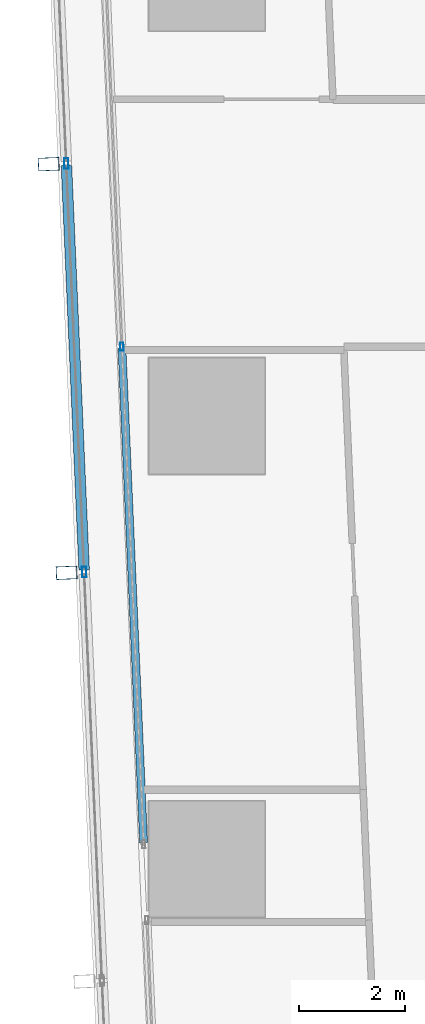
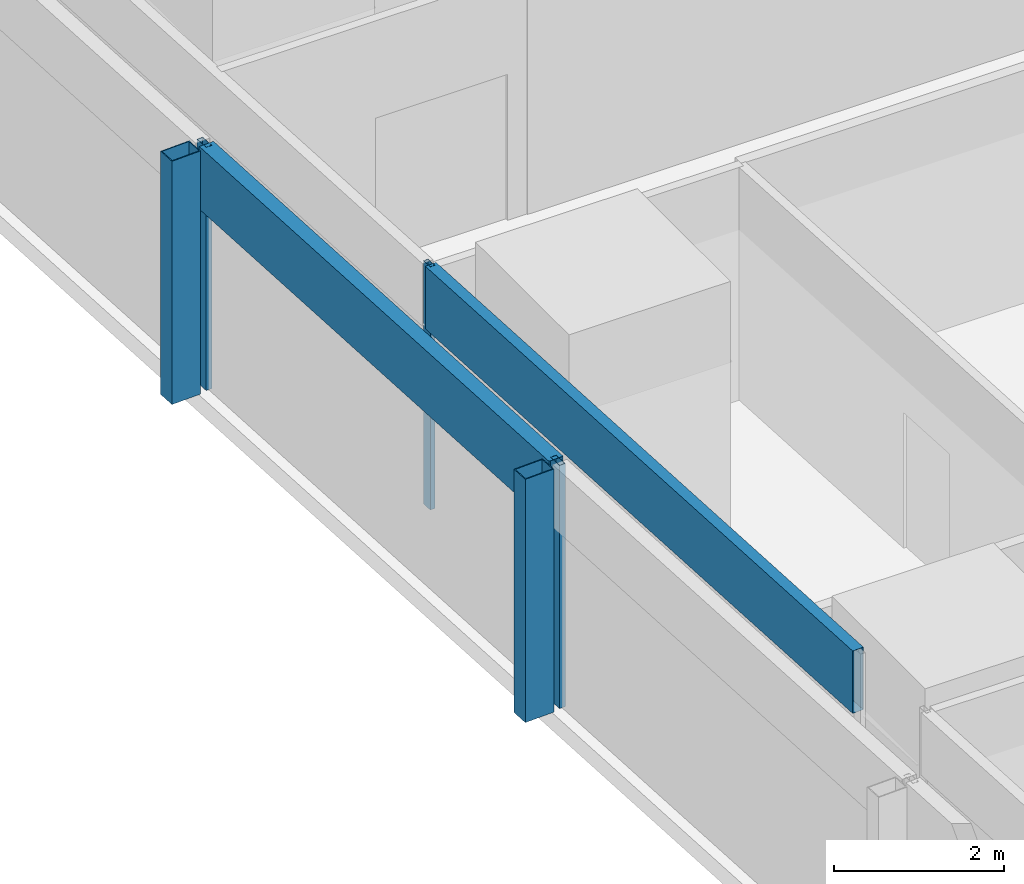
# One storey, part 7 of 45: 7 members, 2 elements without a shape of their own.
"""IFC4 building model written with IfcOpenShell, lengths in metres."""

from ifc_helpers import new_model, si_unit, direction, frame, origin, origin_2d, place, context, subcontext, project, spatial, hollow_rectangle, extrude, material, material_profile, profile_set, type_object, element, aggregate, save


model = new_model("IFC4")

# Units and contexts
model_context = context("Model", 3, precision=1e-05, world=origin(), true_north=direction((0.0, 1.0)))
body_context = subcontext(model_context, "Body", "Model", "MODEL_VIEW")
ifc_project = project(units=[si_unit("LENGTHUNIT", "METRE"), si_unit("AREAUNIT", "SQUARE_METRE"), si_unit("VOLUMEUNIT", "CUBIC_METRE"), si_unit("PLANEANGLEUNIT", "RADIAN"), si_unit("MASSUNIT", "GRAM", prefix="KILO")], contexts=[model_context])

# Site, building, storey
site_placement = place(None, origin())
site = spatial("IfcSite", under=ifc_project, at=site_placement, CompositionType="ELEMENT")
building_placement = place(site_placement, origin())
building = spatial("IfcBuilding", under=site, at=building_placement, Name="Rekha Terrace Tower", CompositionType="ELEMENT")
storey_placement = place(building_placement, frame((0.0, 0.0, 44.14990234375)))
storey = spatial("IfcBuildingStorey", under=building, at=storey_placement, Name="L10", CompositionType="ELEMENT", Elevation=44.14990234375)

# Curtain wall, members
ifc_material_1 = material(Name="Aluminium framing", Category="aluminium")
curtain_wall_type_1 = type_object("IfcCurtainWallType", Name="CW2 double skin outer glazing", PredefinedType="USERDEFINED", material=ifc_material_1)
curtain_wall_1_placement = place(storey_placement, origin())
curtain_wall_1 = element("IfcCurtainWall", 1, at=curtain_wall_1_placement, inside=storey, type_object=curtain_wall_type_1, Name="CW2 double skin outer glazing", ObjectType="DOUBLE SKIN OUTER GLAZING", PredefinedType="USERDEFINED")
ifc_material_2 = material(Name="Steel S355 with fluorocarbon finish", Category="steel")
ifc_material_profile_1 = material_profile(ifc_material_2, hollow_rectangle(XDim=0.25, YDim=0.39990234375, WallThickness=0.012451171875, at=origin_2d()), Name="RHS400x250x12.5")
ifc_profile_set_1 = profile_set([ifc_material_profile_1], Name="Steel S355 with fluorocarbon finish")
member_type_1 = type_object("IfcMemberType", Name="BL1 facade blade RHS 400 x 250", PredefinedType="USERDEFINED", material=ifc_profile_set_1)
member_1_placement = place(storey_placement, frame((5.40283203125, 29.97119140625, 0.0), z_axis=(0.0, 0.0, 1.0), x_axis=(0.04368215933, -0.999045478923, 0.0)))
member_1 = element("IfcMember", 2, at=member_1_placement, type_object=member_type_1, Name="Facade blade", ObjectType="FACADE BLADE", PredefinedType="USERDEFINED", context=body_context, shape_type="SweptSolid", body=[
    extrude(hollow_rectangle(XDim=0.25, YDim=0.39990234375, WallThickness=0.012451171875, at=origin_2d()), origin(), (0.0, 0.0, 1.0), 3.5),
])
member_2_placement = place(storey_placement, frame((5.74169921875, 22.226806640625, 0.0), z_axis=(0.0, 0.0, 1.0), x_axis=(0.04368215933, -0.999045478923, 0.0)))
member_2 = element("IfcMember", 3, at=member_2_placement, type_object=member_type_1, Name="Facade blade", ObjectType="FACADE BLADE", PredefinedType="USERDEFINED", context=body_context, shape_type="SweptSolid", body=[
    extrude(hollow_rectangle(XDim=0.25, YDim=0.39990234375, WallThickness=0.012451171875, at=origin_2d()), origin(), (0.0, 0.0, 1.0), 3.5),
])

curtain_wall_type_2 = type_object("IfcCurtainWallType", Name="CW1 double skin inner glazing", PredefinedType="USERDEFINED", material=ifc_material_1)
curtain_wall_2_placement = place(storey_placement, origin())
curtain_wall_2 = element("IfcCurtainWall", 4, at=curtain_wall_2_placement, inside=storey, type_object=curtain_wall_type_2, Name="CW1 double skin inner glazing", ObjectType="DOUBLE SKIN INNER GLAZING", PredefinedType="USERDEFINED")
ifc_material_3 = material(Name="Aluminium mullion section", Category="aluminium")
ifc_material_profile_2 = material_profile(ifc_material_3, hollow_rectangle(XDim=0.06494140625, YDim=0.14990234375, WallThickness=0.00390625, at=origin_2d()), Name="AL RHS 65x150")
ifc_profile_set_2 = profile_set([ifc_material_profile_2], Name="Aluminium mullion section")
member_type_2 = type_object("IfcMemberType", Name="CW1 mullion RHS 65 x 150", PredefinedType="MULLION", material=ifc_profile_set_2)
member_3_placement = place(storey_placement, frame((6.790283203125, 26.5126953125, 0.0), z_axis=(0.0, 0.0, 1.0), x_axis=(0.999045462133, 0.043682543337, 0.0)))
member_3 = element("IfcMember", 5, at=member_3_placement, type_object=member_type_2, Name="CW1 mullion 3", PredefinedType="MULLION", context=body_context, shape_type="SweptSolid", body=[
    extrude(hollow_rectangle(XDim=0.06494140625, YDim=0.14990234375, WallThickness=0.00390625, at=origin_2d()), origin(), (0.0, 0.0, 1.0), 3.5),
])
ifc_material_4 = material(Name="Insulated aluminium spandrel box", Category="aluminium")
ifc_material_profile_3 = material_profile(ifc_material_4, hollow_rectangle(XDim=0.14990234375, YDim=0.89990234375, WallThickness=0.0029296875, at=origin_2d()), Name="AL SPANDREL BOX 150x900")
ifc_profile_set_3 = profile_set([ifc_material_profile_3], Name="Insulated aluminium spandrel box")
member_type_3 = type_object("IfcMemberType", Name="CW1 spandrel transom 150 x 900", PredefinedType="USERDEFINED", material=ifc_profile_set_3)
member_4_placement = place(storey_placement, frame((6.791748046875, 26.480224609375, 3.050048828125), z_axis=(0.043688050697, -0.999045221312, 0.0), x_axis=(0.999045221312, 0.043688050697, 0.0)))
member_4 = element("IfcMember", 6, at=member_4_placement, type_object=member_type_3, Name="CW1 spandrel transom 3", ObjectType="TRANSOM", PredefinedType="USERDEFINED", context=body_context, shape_type="SweptSolid", body=[
    extrude(hollow_rectangle(XDim=0.14990234375, YDim=0.89990234375, WallThickness=0.0029296875, at=origin_2d()), origin(), (0.0, 0.0, 1.0), 9.377197265625),
])
aggregate(curtain_wall_2, [member_3, member_4])

# Member
ifc_material_profile_4 = material_profile(ifc_material_3, hollow_rectangle(XDim=0.080078125, YDim=0.199951171875, WallThickness=0.00390625, at=origin_2d()), Name="AL RHS 80x200")
ifc_profile_set_4 = profile_set([ifc_material_profile_4], Name="Aluminium mullion section")
member_type_4 = type_object("IfcMemberType", Name="CW2 mullion RHS 80 x 200", PredefinedType="MULLION", material=ifc_profile_set_4)
member_5_placement = place(storey_placement, frame((5.737548828125, 29.98583984375, 0.0), z_axis=(0.0, 0.0, 1.0), x_axis=(0.999045462131, 0.043682543372, 0.0)))
member_5 = element("IfcMember", 7, at=member_5_placement, type_object=member_type_4, Name="CW2 mullion 3", PredefinedType="MULLION", context=body_context, shape_type="SweptSolid", body=[
    extrude(hollow_rectangle(XDim=0.080078125, YDim=0.199951171875, WallThickness=0.00390625, at=origin_2d()), origin(), (0.0, 0.0, 1.0), 3.5),
])

member_6_placement = place(storey_placement, frame((6.076171875, 22.241455078125, 0.0), z_axis=(0.0, 0.0, 1.0), x_axis=(0.999045462131, 0.043682543372, 0.0)))
member_6 = element("IfcMember", 8, at=member_6_placement, type_object=member_type_4, Name="CW2 mullion 4", PredefinedType="MULLION", context=body_context, shape_type="SweptSolid", body=[
    extrude(hollow_rectangle(XDim=0.080078125, YDim=0.199951171875, WallThickness=0.00390625, at=origin_2d()), origin(), (0.0, 0.0, 1.0), 3.5),
])

ifc_material_profile_5 = material_profile(ifc_material_4, hollow_rectangle(XDim=0.199951171875, YDim=0.89990234375, WallThickness=0.0029296875, at=origin_2d()), Name="AL SPANDREL BOX 200x900")
ifc_profile_set_5 = profile_set([ifc_material_profile_5], Name="Insulated aluminium spandrel box")
member_type_5 = type_object("IfcMemberType", Name="CW2 spandrel transom 200 x 900", PredefinedType="USERDEFINED", material=ifc_profile_set_5)
member_7_placement = place(storey_placement, frame((5.7392578125, 29.94580078125, 3.050048828125), z_axis=(0.04369270591, -0.99904501773, 0.0), x_axis=(0.99904501773, 0.04369270591, 0.0)))
member_7 = element("IfcMember", 9, at=member_7_placement, type_object=member_type_5, Name="CW2 spandrel transom 3", ObjectType="TRANSOM", PredefinedType="USERDEFINED", context=body_context, shape_type="SweptSolid", body=[
    extrude(hollow_rectangle(XDim=0.199951171875, YDim=0.89990234375, WallThickness=0.0029296875, at=origin_2d()), origin(), (0.0, 0.0, 1.0), 7.671875),
])

aggregate(curtain_wall_1, [member_5, member_6, member_7, member_1, member_2])

save(model, "model.ifc")
